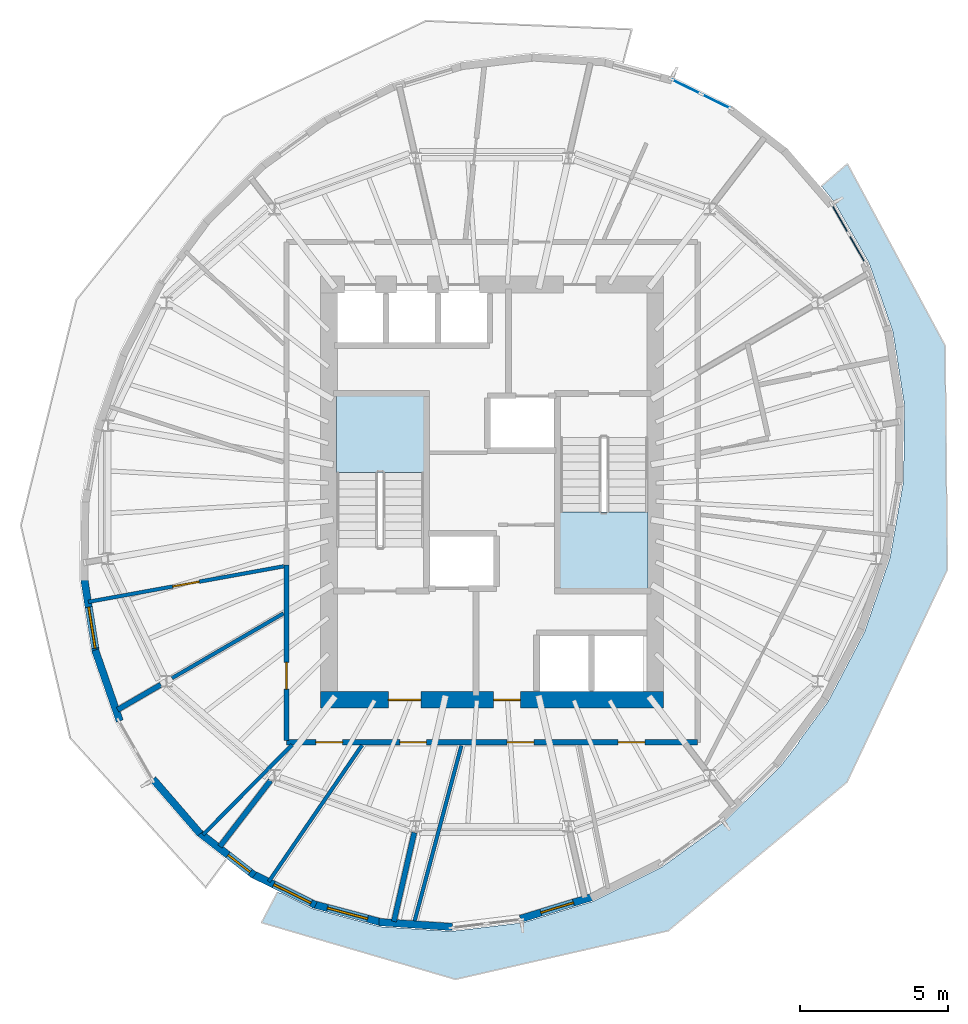
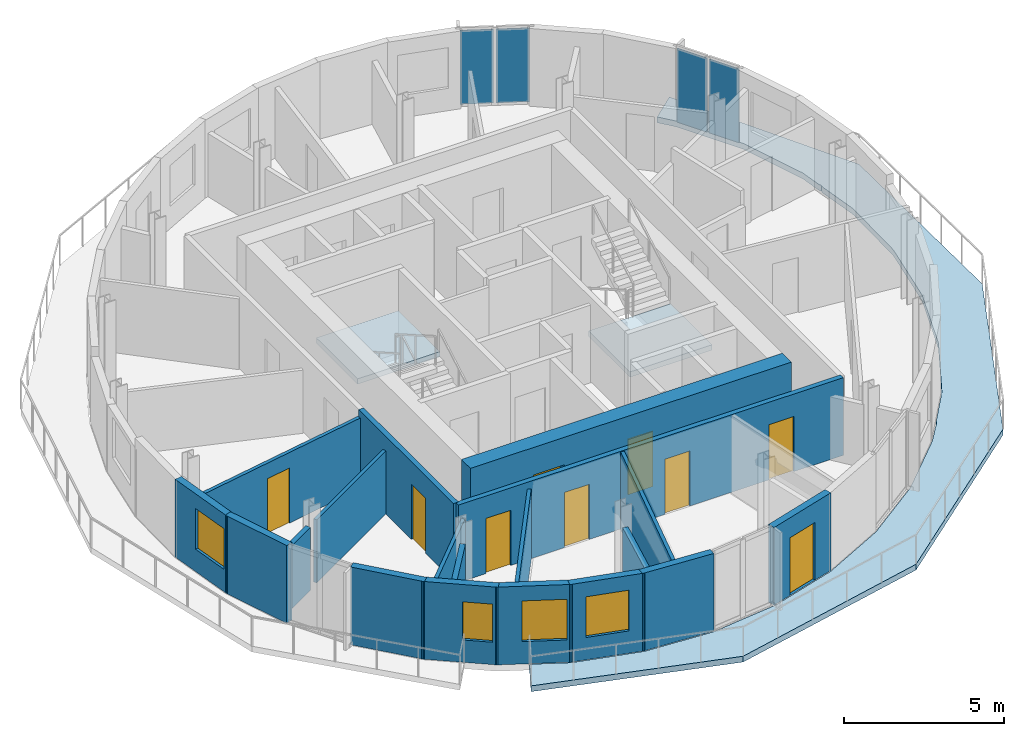
# One storey, part 4 of 9: 19 walls, 9 doors, 4 plates, 4 windows, 3 slabs, 13 openings, 4 elements without a shape of their own.
"""IFC4 building model written with IfcOpenShell, lengths in metres."""

from ifc_helpers import new_model, si_unit, direction, frame, frame_2d, origin, origin_2d, place, context, subcontext, project, spatial, polyline, rectangle, outline, extrude, material, layer, layer_set, type_object, element, fill, aggregate, save


model = new_model("IFC4")

# Units and contexts
model_context = context("Model", 3, precision=1e-05, world=origin(), true_north=direction((0.0, 1.0)))
body_context = subcontext(model_context, "Body", "Model", "MODEL_VIEW")
ifc_project = project(units=[si_unit("LENGTHUNIT", "METRE"), si_unit("AREAUNIT", "SQUARE_METRE"), si_unit("VOLUMEUNIT", "CUBIC_METRE"), si_unit("PLANEANGLEUNIT", "RADIAN"), si_unit("MASSUNIT", "GRAM", prefix="KILO")], contexts=[model_context])

# Site, building, storey
site_placement = place(None, origin())
site = spatial("IfcSite", under=ifc_project, at=site_placement, CompositionType="ELEMENT")
building_placement = place(site_placement, origin())
building = spatial("IfcBuilding", under=site, at=building_placement, Name="Veldorim Arch Residences", CompositionType="ELEMENT")
storey_placement = place(building_placement, frame((0.0, 0.0, 230.239990234375)))
storey = spatial("IfcBuildingStorey", under=building, at=storey_placement, Name="L69", CompositionType="ELEMENT", Elevation=230.239990234375)

# Slab
ifc_material_1 = material(Name="Concrete C40/50", Category="concrete")
ifc_layer_1 = layer(ifc_material_1, 0.219970703125, Name="Planted Crescent Cantilever Balcony Slab 220")
ifc_layer_set_1 = layer_set([ifc_layer_1], Name="Concrete C40/50")
slab_type_1 = type_object("IfcSlabType", Name="Planted Crescent Cantilever Balcony Slab 220", PredefinedType="FLOOR", material=ifc_layer_set_1)
slab_1_placement = place(storey_placement, frame((0.0, 0.0, -0.219970703125)))
element("IfcSlab", 1, at=slab_1_placement, inside=storey, type_object=slab_type_1, Name="L69 planted crescent balcony slab B", PredefinedType="FLOOR", context=body_context, shape_type="SweptSolid", body=[
    extrude(outline(polyline([(24.89111328125, 10.482421875), (25.947998046875, 9.960205078125), (28.220458984375, 9.35498046875), (30.607666015625, 9.195068359375), (33.037109375, 9.485107421875), (35.4345703125, 10.216064453125), (37.7275390625, 11.36572265625), (39.8466796875, 12.89892578125), (41.727294921875, 14.76953125), (42.314453125, 15.52978515625), (42.368408203125, 15.639404296875), (43.3125, 16.92041015625), (44.5537109375, 19.2861328125), (45.414306640625, 21.795166015625), (45.8671875, 24.37109375), (45.898681640625, 26.93603515625), (45.6669921875, 28.404052734375), (45.67236328125, 28.530517578125), (45.63330078125, 28.618408203125), (45.508056640625, 29.412109375), (44.70703125, 31.723876953125), (43.51953125, 33.80078125), (43.103515625, 34.315185546875), (43.974609375, 35.06591796875), (47.2685546875, 28.93896484375), (47.3427734375, 21.384033203125), (43.959228515625, 14.22412109375), (37.93701171875, 9.2177734375), (30.7646484375, 7.57958984375), (24.2294921875, 9.490966796875), (24.762939453125, 10.509765625), (24.89111328125, 10.482421875)])), origin(), (0.0, 0.0, 1.0), 0.219970703125),
])

# Stair, slab
ifc_material_2 = material(Name="Concrete C40/50", Category="concrete")
stair_type = type_object("IfcStairType", Name="Reinforced Concrete Dogleg Exit Staircase", PredefinedType="HALF_TURN_STAIR", material=ifc_material_2)
stair_1_placement = place(storey_placement, origin())
stair_1 = element("IfcStair", 2, at=stair_1_placement, inside=storey, type_object=stair_type, Name="L69 Exit Staircase ST-1", PredefinedType="HALF_TURN_STAIR")
ifc_material_3 = material(Name="Concrete C40/50", Category="concrete")
ifc_layer_2 = layer(ifc_material_3, 0.199951171875, Name="Reinforced Concrete Stair Landing 200")
ifc_layer_set_2 = layer_set([ifc_layer_2], Name="Concrete C40/50")
slab_type_2 = type_object("IfcSlabType", Name="Reinforced Concrete Stair Landing 200", PredefinedType="LANDING", material=ifc_layer_set_2)
slab_2_placement = place(storey_placement, frame((0.0, 0.0, 1.39990234375)))
slab_2 = element("IfcSlab", 3, at=slab_2_placement, type_object=slab_type_2, Name="ST-1 landing 1", PredefinedType="LANDING", context=body_context, shape_type="SweptSolid", body=[
    extrude(outline(polyline([(29.7099609375, 24.669921875), (29.7099609375, 27.25), (26.75, 27.25), (26.75, 24.669921875), (29.7099609375, 24.669921875)])), origin(), (0.0, 0.0, 1.0), 0.2001953125),
])
aggregate(stair_1, [slab_2])

stair_2_placement = place(storey_placement, origin())
stair_2 = element("IfcStair", 4, at=stair_2_placement, inside=storey, type_object=stair_type, Name="L69 Exit Staircase ST-2", PredefinedType="HALF_TURN_STAIR")
slab_3_placement = place(storey_placement, frame((0.0, 0.0, 1.39990234375)))
slab_3 = element("IfcSlab", 5, at=slab_3_placement, type_object=slab_type_2, Name="ST-2 landing 1", PredefinedType="LANDING", context=body_context, shape_type="SweptSolid", body=[
    extrude(outline(polyline([(34.2900390625, 23.330078125), (34.2900390625, 20.75), (37.25, 20.75), (37.25, 23.330078125), (34.2900390625, 23.330078125)])), origin(), (0.0, 0.0, 1.0), 0.2001953125),
])
aggregate(stair_2, [slab_3])

# Curtain wall, plates
ifc_material_4 = material(Name="Aluminium", Category="aluminium")
curtain_wall_type = type_object("IfcCurtainWallType", Name="Zone 4 High-Altitude Unitised Curtain Wall", PredefinedType="NOTDEFINED", material=ifc_material_4)
curtain_wall_1_placement = place(storey_placement, origin())
curtain_wall_1 = element("IfcCurtainWall", 6, at=curtain_wall_1_placement, inside=storey, type_object=curtain_wall_type, Name="L69 unitised curtain wall bay 01", PredefinedType="NOTDEFINED")
ifc_material_5 = material(Name="Laminated Low-E Glass", Category="glass")
ifc_layer_3 = layer(ifc_material_5, 0.030029296875, Name="Zone 4 High-Altitude Unitised Curtain Wall Glazing Panel 30")
ifc_layer_set_3 = layer_set([ifc_layer_3], Name="Laminated Low-E Glass")
plate_type = type_object("IfcPlateType", Name="Zone 4 High-Altitude Unitised Curtain Wall Glazing Panel 30", PredefinedType="CURTAIN_PANEL", material=ifc_layer_set_3)
plate_1_placement = place(storey_placement, frame((38.541259765625, 37.669677734375, 0.074951171875), z_axis=(0.0, 0.0, 1.0), x_axis=(0.896525107372, -0.442992925285, 0.0)))
plate_1 = element("IfcPlate", 7, at=plate_1_placement, type_object=plate_type, Name="CW-Z4 panel 1.1", PredefinedType="CURTAIN_PANEL", context=body_context, shape_type="SweptSolid", body=[
    extrude(rectangle(XDim=1.0498046875, YDim=0.030029296875, at=origin_2d()), origin(), (0.0, 0.0, 1.0), 2.81005859375),
])
plate_2_placement = place(storey_placement, frame((39.549560546875, 37.17138671875, 0.074951171875), z_axis=(0.0, 0.0, 1.0), x_axis=(0.896525107372, -0.442992925285, 0.0)))
plate_2 = element("IfcPlate", 8, at=plate_2_placement, type_object=plate_type, Name="CW-Z4 panel 2.1", PredefinedType="CURTAIN_PANEL", context=body_context, shape_type="SweptSolid", body=[
    extrude(rectangle(XDim=1.0498046875, YDim=0.030029296875, at=origin_2d()), origin(), (0.0, 0.0, 1.0), 2.81005859375),
])
aggregate(curtain_wall_1, [plate_1, plate_2])

curtain_wall_2_placement = place(storey_placement, origin())
curtain_wall_2 = element("IfcCurtainWall", 9, at=curtain_wall_2_placement, inside=storey, type_object=curtain_wall_type, Name="L69 unitised curtain wall bay 34", PredefinedType="NOTDEFINED")
plate_3_placement = place(storey_placement, frame((43.7265625, 33.207275390625, 0.074951171875), z_axis=(0.0, 0.0, 1.0), x_axis=(0.496274235915, -0.868165815249, 0.0)))
plate_3 = element("IfcPlate", 10, at=plate_3_placement, type_object=plate_type, Name="CW-Z4 panel 1.1", PredefinedType="CURTAIN_PANEL", context=body_context, shape_type="SweptSolid", body=[
    extrude(rectangle(XDim=1.081298828125, YDim=0.030029296875, at=origin_2d()), origin(), (0.0, 0.0, 1.0), 2.81005859375),
])
plate_4_placement = place(storey_placement, frame((44.300537109375, 32.203125, 0.074951171875), z_axis=(0.0, 0.0, 1.0), x_axis=(0.496274235915, -0.868165815249, 0.0)))
plate_4 = element("IfcPlate", 11, at=plate_4_placement, type_object=plate_type, Name="CW-Z4 panel 2.1", PredefinedType="CURTAIN_PANEL", context=body_context, shape_type="SweptSolid", body=[
    extrude(rectangle(XDim=1.081298828125, YDim=0.030029296875, at=origin_2d()), origin(), (0.0, 0.0, 1.0), 2.81005859375),
])
aggregate(curtain_wall_2, [plate_3, plate_4])

# Walls
ifc_material_6 = material(Name="Acoustic Gypsum Board", Category="gypsum")
ifc_layer_4 = layer(ifc_material_6, 0.125, Name="Acoustic Stud Room Partition Wall 125")
ifc_layer_set_4 = layer_set([ifc_layer_4], Name="Acoustic Gypsum Board")
wall_type_1 = type_object("IfcWallType", Name="Acoustic Stud Room Partition Wall 125", PredefinedType="PARTITIONING", material=ifc_layer_set_4)
wall_1_placement = place(storey_placement, frame((29.36083984375, 9.444091796875, 0.0), z_axis=(0.0, 0.0, 1.0), x_axis=(0.257643106476, 0.966240151145, 0.0)))
element("IfcWall", 12, at=wall_1_placement, inside=storey, type_object=wall_type_1, Name="L69 interior wall WL-RES-L69-008", PredefinedType="PARTITIONING", context=body_context, shape_type="SweptSolid", body=[
    extrude(rectangle(XDim=6.219970703125, YDim=0.125, at=frame_2d((3.10986328125, 0.0))), origin(), (0.0, 0.0, 1.0), 2.955078125),
])
wall_2_placement = place(storey_placement, frame((24.47119140625, 10.873779296875, 0.0), z_axis=(0.0, 0.0, 1.0), x_axis=(0.564753044296, 0.825259958412, 0.0)))
element("IfcWall", 13, at=wall_2_placement, inside=storey, type_object=wall_type_1, Name="L69 interior wall WL-RES-L69-009", PredefinedType="PARTITIONING", context=body_context, shape_type="SweptSolid", body=[
    extrude(rectangle(XDim=5.570556640625, YDim=0.125, at=frame_2d((2.78515625, 0.0))), origin(), (0.0, 0.0, 1.0), 2.69189453125),
])
wall_3_placement = place(storey_placement, frame((22.2509765625, 12.447998046875, 0.0), z_axis=(0.0, 0.0, 1.0), x_axis=(0.7036132626, 0.710583124408, 0.0)))
element("IfcWall", 14, at=wall_3_placement, inside=storey, type_object=wall_type_1, Name="L69 interior wall WL-RES-L69-010", PredefinedType="PARTITIONING", context=body_context, shape_type="SweptSolid", body=[
    extrude(rectangle(XDim=4.2734375, YDim=0.125, at=frame_2d((2.13671875, 0.0))), origin(), (0.0, 0.0, 1.0), 2.4033203125),
])
wall_4_placement = place(storey_placement, frame((21.209716796875, 17.7294921875, 0.0), z_axis=(0.0, 0.0, 1.0), x_axis=(0.864603130846, 0.502455397155, 0.0)))
element("IfcWall", 15, at=wall_4_placement, inside=storey, type_object=wall_type_1, Name="L69 interior wall WL-RES-L69-011", PredefinedType="PARTITIONING", context=body_context, shape_type="SweptSolid", body=[
    extrude(rectangle(XDim=4.344970703125, YDim=0.125, at=frame_2d((2.17236328125, 0.0))), origin(), (0.0, 0.0, 1.0), 2.4033203125),
])

# Wall, opening, door
wall_5_placement = place(storey_placement, frame((24.9716796875, 21.50048828125, 0.0), z_axis=(0.0, 0.0, 1.0), x_axis=(-0.983829605244, -0.179106973193, 0.0)))
wall_5 = element("IfcWall", 16, at=wall_5_placement, inside=storey, type_object=wall_type_1, Name="L69 interior wall WL-RES-L69-023", PredefinedType="PARTITIONING", context=body_context, shape_type="SweptSolid", body=[
    extrude(rectangle(XDim=6.69140625, YDim=0.125, at=frame_2d((3.345703125, 0.0))), origin(), (0.0, 0.0, 1.0), 2.69189453125),
])
opening_1_placement = place(wall_5_placement, frame((2.8955078125, 0.0, 0.0)))
opening_1 = element("IfcOpeningElement", 17, at=opening_1_placement, cuts=wall_5, Name="Opening DR-INT", PredefinedType="OPENING", context=body_context, shape_type="SweptSolid", body=[
    extrude(rectangle(XDim=0.89990234375, YDim=2.10009765625, at=frame_2d((0.449951171875, 1.050048828125))), frame((0.0, 0.072509765625, 0.0), z_axis=(0.0, -1.0, 0.0), x_axis=(1.0, 0.0, 0.0)), (0.0, 0.0, 1.0), 0.14501953125),
])
ifc_material_7 = material(Name="Engineered Timber", Category="wood")
door_type_1 = type_object("IfcDoorType", Name="Apartment Internal Room Timber Door 900x2100", OperationType="SINGLE_SWING_LEFT", PredefinedType="DOOR", material=ifc_material_7)
door_1_placement = place(opening_1_placement, origin())
door_1 = element("IfcDoor", 18, at=door_1_placement, inside=storey, type_object=door_type_1, Name="L69 interior door DR-RES-L69-018", OperationType="SINGLE_SWING_RIGHT", OverallHeight=2.10009765625, OverallWidth=0.89990234375, PredefinedType="DOOR", context=body_context, shape_type="SweptSolid", body=[
    extrude(rectangle(XDim=0.89990234375, YDim=2.10009765625, at=frame_2d((0.449951171875, 1.050048828125))), frame((0.0, 0.02490234375, 0.0), z_axis=(0.0, -1.0, 0.0), x_axis=(1.0, 0.0, 0.0)), (0.0, 0.0, 1.0), 0.050048828125),
])
fill(opening_1, door_1)

# Walls
ifc_material_8 = material(Name="Lightweight Masonry Block & Gypsum", Category="masonry")
ifc_layer_5 = layer(ifc_material_8, 0.179931640625, Name="Compartment & Corridor Fire-Rated Party Wall 180")
ifc_layer_set_5 = layer_set([ifc_layer_5], Name="Lightweight Masonry Block & Gypsum")
wall_type_2 = type_object("IfcWallType", Name="Compartment & Corridor Fire-Rated Party Wall 180", PredefinedType="PARTITIONING", material=ifc_layer_set_5)
wall_6_placement = place(storey_placement, frame((20.834716796875, 17.51171875, 0.0), z_axis=(0.0, 0.0, 1.0), x_axis=(-0.864596354204, -0.502467057923, 0.0)))
element("IfcWall", 19, at=wall_6_placement, inside=storey, type_object=wall_type_2, Name="L69 interior wall WL-PIER-L69-10", PredefinedType="PARTITIONING", context=body_context, shape_type="SweptSolid", body=[
    extrude(rectangle(XDim=1.6875, YDim=0.179931640625, at=frame_2d((0.84375, 0.0))), origin(), (0.0, 0.0, 1.0), 2.4033203125),
])
wall_7_placement = place(storey_placement, frame((24.53271484375, 14.280517578125, 0.0), z_axis=(0.0, 0.0, 1.0), x_axis=(-0.609243973043, -0.792982837967, 0.0)))
element("IfcWall", 20, at=wall_7_placement, inside=storey, type_object=wall_type_2, Name="L69 interior wall WL-PIER-L69-11", PredefinedType="PARTITIONING", context=body_context, shape_type="SweptSolid", body=[
    extrude(rectangle(XDim=2.806396484375, YDim=0.179931640625, at=frame_2d((1.4033203125, 0.0))), origin(), (0.0, 0.0, 1.0), 2.4033203125),
])
wall_8_placement = place(storey_placement, frame((29.3759765625, 12.526611328125, 0.0), z_axis=(0.0, 0.0, 1.0), x_axis=(-0.223020975075, -0.974813646128, 0.0)))
element("IfcWall", 21, at=wall_8_placement, inside=storey, type_object=wall_type_2, Name="L69 interior wall WL-PIER-L69-12", PredefinedType="PARTITIONING", context=body_context, shape_type="SweptSolid", body=[
    extrude(rectangle(XDim=3.074951171875, YDim=0.179931640625, at=frame_2d((1.53759765625, 0.0))), origin(), (0.0, 0.0, 1.0), 2.4033203125),
])

# Wall, openings, doors
wall_9_placement = place(storey_placement, frame((38.929931640625, 15.570068359375, 0.0), z_axis=(0.0, 0.0, 1.0), x_axis=(-1.0, 0.0, 0.0)))
wall_9 = element("IfcWall", 22, at=wall_9_placement, inside=storey, type_object=wall_type_2, Name="L69 interior wall WL-RES-L69-001", PredefinedType="PARTITIONING", context=body_context, shape_type="SweptSolid", body=[
    extrude(rectangle(XDim=13.85986328125, YDim=0.179931640625, at=frame_2d((6.929931640625, 0.0))), origin(), (0.0, 0.0, 1.0), 2.955078125),
])
opening_2_placement = place(wall_9_placement, frame((1.780517578125, 0.0, 0.0)))
opening_2 = element("IfcOpeningElement", 23, at=opening_2_placement, cuts=wall_9, Name="Opening DR-SVC", PredefinedType="OPENING", context=body_context, shape_type="SweptSolid", body=[
    extrude(rectangle(XDim=0.89990234375, YDim=2.10009765625, at=frame_2d((0.449951171875, 1.050048828125))), frame((0.0, 0.099853515625, 0.0), z_axis=(0.0, -1.0, 0.0), x_axis=(1.0, 0.0, 0.0)), (0.0, 0.0, 1.0), 0.199951171875),
])
opening_3_placement = place(wall_9_placement, frame((5.5244140625, 0.0, 0.0)))
opening_3 = element("IfcOpeningElement", 24, at=opening_3_placement, cuts=wall_9, Name="Opening DR-INT", PredefinedType="OPENING", context=body_context, shape_type="SweptSolid", body=[
    extrude(rectangle(XDim=0.89990234375, YDim=2.10009765625, at=frame_2d((0.449951171875, 1.050048828125))), frame((0.0, 0.099853515625, 0.0), z_axis=(0.0, -1.0, 0.0), x_axis=(1.0, 0.0, 0.0)), (0.0, 0.0, 1.0), 0.199951171875),
])
opening_4_placement = place(wall_9_placement, frame((9.142578125, 0.0, 0.0)))
opening_4 = element("IfcOpeningElement", 25, at=opening_4_placement, cuts=wall_9, Name="Opening DR-INT", PredefinedType="OPENING", context=body_context, shape_type="SweptSolid", body=[
    extrude(rectangle(XDim=0.89990234375, YDim=2.10009765625, at=frame_2d((0.449951171875, 1.050048828125))), frame((0.0, 0.099853515625, 0.0), z_axis=(0.0, -1.0, 0.0), x_axis=(1.0, 0.0, 0.0)), (0.0, 0.0, 1.0), 0.199951171875),
])
opening_5_placement = place(wall_9_placement, frame((11.970458984375, 0.0, 0.0)))
opening_5 = element("IfcOpeningElement", 26, at=opening_5_placement, cuts=wall_9, Name="Opening DR-INT", PredefinedType="OPENING", context=body_context, shape_type="SweptSolid", body=[
    extrude(rectangle(XDim=0.89990234375, YDim=2.10009765625, at=frame_2d((0.449951171875, 1.050048828125))), frame((0.0, 0.099853515625, 0.0), z_axis=(0.0, -1.0, 0.0), x_axis=(1.0, 0.0, 0.0)), (0.0, 0.0, 1.0), 0.199951171875),
])
door_2_placement = place(opening_3_placement, origin())
door_2 = element("IfcDoor", 27, at=door_2_placement, inside=storey, type_object=door_type_1, Name="L69 interior door DR-RES-L69-002", OperationType="SINGLE_SWING_RIGHT", OverallHeight=2.10009765625, OverallWidth=0.89990234375, PredefinedType="DOOR", context=body_context, shape_type="SweptSolid", body=[
    extrude(rectangle(XDim=0.89990234375, YDim=2.10009765625, at=frame_2d((0.449951171875, 1.050048828125))), frame((0.0, 0.02490234375, 0.0), z_axis=(0.0, -1.0, 0.0), x_axis=(1.0, 0.0, 0.0)), (0.0, 0.0, 1.0), 0.050048828125),
])
fill(opening_3, door_2)
door_3_placement = place(opening_4_placement, origin())
door_3 = element("IfcDoor", 28, at=door_3_placement, inside=storey, type_object=door_type_1, Name="L69 interior door DR-RES-L69-003", OperationType="SINGLE_SWING_LEFT", OverallHeight=2.10009765625, OverallWidth=0.89990234375, PredefinedType="DOOR", context=body_context, shape_type="SweptSolid", body=[
    extrude(rectangle(XDim=0.89990234375, YDim=2.10009765625, at=frame_2d((0.449951171875, 1.050048828125))), frame((0.0, 0.02490234375, 0.0), z_axis=(0.0, -1.0, 0.0), x_axis=(1.0, 0.0, 0.0)), (0.0, 0.0, 1.0), 0.050048828125),
])
fill(opening_4, door_3)
door_4_placement = place(opening_5_placement, origin())
door_4 = element("IfcDoor", 29, at=door_4_placement, inside=storey, type_object=door_type_1, Name="L69 interior door DR-RES-L69-004", OperationType="SINGLE_SWING_RIGHT", OverallHeight=2.10009765625, OverallWidth=0.89990234375, PredefinedType="DOOR", context=body_context, shape_type="SweptSolid", body=[
    extrude(rectangle(XDim=0.89990234375, YDim=2.10009765625, at=frame_2d((0.449951171875, 1.050048828125))), frame((0.0, 0.02490234375, 0.0), z_axis=(0.0, -1.0, 0.0), x_axis=(1.0, 0.0, 0.0)), (0.0, 0.0, 1.0), 0.050048828125),
])
fill(opening_5, door_4)
ifc_material_9 = material(Name="Fire-Rated Steel", Category="steel")
door_type_2 = type_object("IfcDoorType", Name="Riser, Shelter & Plant Room Rated Steel Door 900x2100", OperationType="SINGLE_SWING_LEFT", PredefinedType="DOOR", material=ifc_material_9)
door_5_placement = place(opening_2_placement, origin())
door_5 = element("IfcDoor", 30, at=door_5_placement, inside=storey, type_object=door_type_2, Name="L69 interior door DR-RES-L69-001", OperationType="SINGLE_SWING_LEFT", OverallHeight=2.10009765625, OverallWidth=0.89990234375, PredefinedType="DOOR", context=body_context, shape_type="SweptSolid", body=[
    extrude(rectangle(XDim=0.89990234375, YDim=2.10009765625, at=frame_2d((0.449951171875, 1.050048828125))), frame((0.0, 0.02490234375, 0.0), z_axis=(0.0, -1.0, 0.0), x_axis=(1.0, 0.0, 0.0)), (0.0, 0.0, 1.0), 0.050048828125),
])
fill(opening_2, door_5)

# Wall, opening, door
wall_10_placement = place(storey_placement, frame((25.070068359375, 15.6298828125, 0.0), z_axis=(0.0, 0.0, 1.0), x_axis=(0.0, 1.0, 0.0)))
wall_10 = element("IfcWall", 31, at=wall_10_placement, inside=storey, type_object=wall_type_2, Name="L69 interior wall WL-RES-L69-002", PredefinedType="PARTITIONING", context=body_context, shape_type="SweptSolid", body=[
    extrude(rectangle(XDim=5.90869140625, YDim=0.179931640625, at=frame_2d((2.954345703125, 0.0))), origin(), (0.0, 0.0, 1.0), 2.955078125),
])
opening_6_placement = place(wall_10_placement, frame((1.7314453125, 0.0, 0.0)))
opening_6 = element("IfcOpeningElement", 32, at=opening_6_placement, cuts=wall_10, Name="Opening DR-INT", PredefinedType="OPENING", context=body_context, shape_type="SweptSolid", body=[
    extrude(rectangle(XDim=0.89990234375, YDim=2.10009765625, at=frame_2d((0.449951171875, 1.050048828125))), frame((0.0, 0.099853515625, 0.0), z_axis=(0.0, -1.0, 0.0), x_axis=(1.0, 0.0, 0.0)), (0.0, 0.0, 1.0), 0.199951171875),
])
door_6_placement = place(opening_6_placement, origin())
door_6 = element("IfcDoor", 33, at=door_6_placement, inside=storey, type_object=door_type_1, Name="L69 interior door DR-RES-L69-005", OperationType="SINGLE_SWING_LEFT", OverallHeight=2.10009765625, OverallWidth=0.89990234375, PredefinedType="DOOR", context=body_context, shape_type="SweptSolid", body=[
    extrude(rectangle(XDim=0.89990234375, YDim=2.10009765625, at=frame_2d((0.449951171875, 1.050048828125))), frame((0.0, 0.02490234375, 0.0), z_axis=(0.0, -1.0, 0.0), x_axis=(1.0, 0.0, 0.0)), (0.0, 0.0, 1.0), 0.050048828125),
])
fill(opening_6, door_6)

# Wall, opening, window
ifc_material_10 = material(Name="Precast concrete C40/50", Category="concrete")
ifc_layer_6 = layer(ifc_material_10, 0.25, Name="Tower Terracotta Spandrel & Pier Wall 250")
ifc_layer_set_6 = layer_set([ifc_layer_6], Name="Precast concrete C40/50")
wall_type_3 = type_object("IfcWallType", Name="Tower Terracotta Spandrel & Pier Wall 250", PredefinedType="SOLIDWALL", material=ifc_layer_set_6)
wall_11_placement = place(storey_placement, frame((18.646728515625, 18.569091796875, 0.0), z_axis=(0.0, 0.0, 1.0), x_axis=(-0.155778786526, 0.987791966797, 0.0)))
wall_11 = element("IfcWall", 34, at=wall_11_placement, inside=storey, type_object=wall_type_3, Name="L69 terracotta facade wall 14", PredefinedType="SOLIDWALL", context=body_context, shape_type="SweptSolid", body=[
    extrude(rectangle(XDim=2.59228515625, YDim=0.25, at=frame_2d((1.296142578125, 0.0))), origin(), (0.0, 0.0, 1.0), 2.9599609375),
])
opening_7_placement = place(wall_11_placement, frame((0.175048828125, 0.0, 0.85009765625)))
opening_7 = element("IfcOpeningElement", 35, at=opening_7_placement, cuts=wall_11, Name="Opening WN-02", PredefinedType="OPENING", context=body_context, shape_type="SweptSolid", body=[
    extrude(rectangle(XDim=1.39990234375, YDim=1.550048828125, at=frame_2d((0.699951171875, 0.77490234375))), frame((0.0, 0.135009765625, 0.0), z_axis=(0.0, -1.0, 0.0), x_axis=(1.0, 0.0, 0.0)), (0.0, 0.0, 1.0), 0.27001953125),
])
ifc_material_11 = material(Name="Laminated Low-E Glass", Category="glass")
window_type_1 = type_object("IfcWindowType", Name="Residential Casement Window 1400x1550", PartitioningType="SINGLE_PANEL", PredefinedType="WINDOW", material=ifc_material_11)
window_1_placement = place(opening_7_placement, origin())
window_1 = element("IfcWindow", 36, at=window_1_placement, inside=storey, type_object=window_type_1, Name="L69 solar-control facade window 14", OverallHeight=1.550048828125, OverallWidth=1.39990234375, PartitioningType="SINGLE_PANEL", PredefinedType="WINDOW", context=body_context, shape_type="SweptSolid", body=[
    extrude(rectangle(XDim=1.39990234375, YDim=1.550048828125, at=frame_2d((0.699951171875, 0.77490234375))), frame((0.0, 0.030029296875, 0.0), z_axis=(0.0, -1.0, 0.0), x_axis=(1.0, 0.0, 0.0)), (0.0, 0.0, 1.0), 0.06005859375),
])
fill(opening_7, window_1)

# Walls
wall_12_placement = place(storey_placement, frame((19.44873046875, 16.284912109375, 0.0), z_axis=(0.0, 0.0, 1.0), x_axis=(-0.327428450427, 0.944875975909, 0.0)))
element("IfcWall", 37, at=wall_12_placement, inside=storey, type_object=wall_type_3, Name="L69 terracotta facade wall 15", PredefinedType="SOLIDWALL", context=body_context, shape_type="SweptSolid", body=[
    extrude(rectangle(XDim=2.5322265625, YDim=0.25, at=frame_2d((1.26611328125, 0.0))), origin(), (0.0, 0.0, 1.0), 2.9599609375),
])
wall_13_placement = place(storey_placement, frame((22.159423828125, 12.485595703125, 0.0), z_axis=(0.0, 0.0, 1.0), x_axis=(-0.653838956375, 0.756633741732, 0.0)))
element("IfcWall", 38, at=wall_13_placement, inside=storey, type_object=wall_type_3, Name="L69 terracotta facade wall 17", PredefinedType="SOLIDWALL", context=body_context, shape_type="SweptSolid", body=[
    extrude(rectangle(XDim=2.436767578125, YDim=0.25, at=frame_2d((1.21826171875, 0.0))), origin(), (0.0, 0.0, 1.0), 2.9599609375),
])

# Wall, opening, window
wall_14_placement = place(storey_placement, frame((23.98486328125, 11.084716796875, 0.0), z_axis=(0.0, 0.0, 1.0), x_axis=(-0.790325704793, 0.612686935019, 0.0)))
wall_14 = element("IfcWall", 39, at=wall_14_placement, inside=storey, type_object=wall_type_3, Name="L69 terracotta facade wall 18", PredefinedType="SOLIDWALL", context=body_context, shape_type="SweptSolid", body=[
    extrude(rectangle(XDim=2.414794921875, YDim=0.25, at=frame_2d((1.20751953125, 0.0))), origin(), (0.0, 0.0, 1.0), 2.9599609375),
])
opening_8_placement = place(wall_14_placement, frame((0.175048828125, 0.0, 0.85009765625)))
opening_8 = element("IfcOpeningElement", 40, at=opening_8_placement, cuts=wall_14, Name="Opening WN-05", PredefinedType="OPENING", context=body_context, shape_type="SweptSolid", body=[
    extrude(rectangle(XDim=0.949951171875, YDim=1.449951171875, at=frame_2d((0.47509765625, 0.72509765625))), frame((0.0, 0.135009765625, 0.0), z_axis=(0.0, -1.0, 0.0), x_axis=(1.0, 0.0, 0.0)), (0.0, 0.0, 1.0), 0.27001953125),
])
ifc_material_12 = material(Name="Laminated Low-E Glass", Category="glass")
window_type_2 = type_object("IfcWindowType", Name="Residential Compact Casement Window 950x1450", PartitioningType="SINGLE_PANEL", PredefinedType="WINDOW", material=ifc_material_12)
window_2_placement = place(opening_8_placement, origin())
window_2 = element("IfcWindow", 41, at=window_2_placement, inside=storey, type_object=window_type_2, Name="L69 solar-control facade window 18", OverallHeight=1.449951171875, OverallWidth=0.949951171875, PartitioningType="SINGLE_PANEL", PredefinedType="WINDOW", context=body_context, shape_type="SweptSolid", body=[
    extrude(rectangle(XDim=0.949951171875, YDim=1.449951171875, at=frame_2d((0.47509765625, 0.72509765625))), frame((0.0, 0.030029296875, 0.0), z_axis=(0.0, -1.0, 0.0), x_axis=(1.0, 0.0, 0.0)), (0.0, 0.0, 1.0), 0.06005859375),
])
fill(opening_8, window_2)

wall_15_placement = place(storey_placement, frame((26.052490234375, 10.075927734375, 0.0), z_axis=(0.0, 0.0, 1.0), x_axis=(-0.896540415167, 0.442961944158, 0.0)))
wall_15 = element("IfcWall", 42, at=wall_15_placement, inside=storey, type_object=wall_type_3, Name="L69 terracotta facade wall 19", PredefinedType="SOLIDWALL", context=body_context, shape_type="SweptSolid", body=[
    extrude(rectangle(XDim=2.41455078125, YDim=0.25, at=frame_2d((1.207275390625, 0.0))), origin(), (0.0, 0.0, 1.0), 2.9599609375),
])
opening_9_placement = place(wall_15_placement, frame((0.175048828125, 0.0, 0.85009765625)))
opening_9 = element("IfcOpeningElement", 43, at=opening_9_placement, cuts=wall_15, Name="Opening WN-02", PredefinedType="OPENING", context=body_context, shape_type="SweptSolid", body=[
    extrude(rectangle(XDim=1.39990234375, YDim=1.550048828125, at=frame_2d((0.699951171875, 0.77490234375))), frame((0.0, 0.135009765625, 0.0), z_axis=(0.0, -1.0, 0.0), x_axis=(1.0, 0.0, 0.0)), (0.0, 0.0, 1.0), 0.27001953125),
])
window_3_placement = place(opening_9_placement, origin())
window_3 = element("IfcWindow", 44, at=window_3_placement, inside=storey, type_object=window_type_1, Name="L69 solar-control facade window 19", OverallHeight=1.550048828125, OverallWidth=1.39990234375, PartitioningType="SINGLE_PANEL", PredefinedType="WINDOW", context=body_context, shape_type="SweptSolid", body=[
    extrude(rectangle(XDim=1.39990234375, YDim=1.550048828125, at=frame_2d((0.699951171875, 0.77490234375))), frame((0.0, 0.030029296875, 0.0), z_axis=(0.0, -1.0, 0.0), x_axis=(1.0, 0.0, 0.0)), (0.0, 0.0, 1.0), 0.06005859375),
])
fill(opening_9, window_3)

wall_16_placement = place(storey_placement, frame((28.30029296875, 9.489013671875, 0.0), z_axis=(0.0, 0.0, 1.0), x_axis=(-0.96631636381, 0.257357115761, 0.0)))
wall_16 = element("IfcWall", 45, at=wall_16_placement, inside=storey, type_object=wall_type_3, Name="L69 terracotta facade wall 20", PredefinedType="SOLIDWALL", context=body_context, shape_type="SweptSolid", body=[
    extrude(rectangle(XDim=2.43701171875, YDim=0.25, at=frame_2d((1.218505859375, 0.0))), origin(), (0.0, 0.0, 1.0), 2.9599609375),
])
opening_10_placement = place(wall_16_placement, frame((0.51806640625, 0.0, 0.85009765625)))
opening_10 = element("IfcOpeningElement", 46, at=opening_10_placement, cuts=wall_16, Name="Opening WN-02", PredefinedType="OPENING", context=body_context, shape_type="SweptSolid", body=[
    extrude(rectangle(XDim=1.39990234375, YDim=1.550048828125, at=frame_2d((0.699951171875, 0.77490234375))), frame((0.0, 0.135009765625, 0.0), z_axis=(0.0, -1.0, 0.0), x_axis=(1.0, 0.0, 0.0)), (0.0, 0.0, 1.0), 0.27001953125),
])
window_4_placement = place(opening_10_placement, origin())
window_4 = element("IfcWindow", 47, at=window_4_placement, inside=storey, type_object=window_type_1, Name="L69 solar-control facade window 20", OverallHeight=1.550048828125, OverallWidth=1.39990234375, PartitioningType="SINGLE_PANEL", PredefinedType="WINDOW", context=body_context, shape_type="SweptSolid", body=[
    extrude(rectangle(XDim=1.39990234375, YDim=1.550048828125, at=frame_2d((0.699951171875, 0.77490234375))), frame((0.0, 0.030029296875, 0.0), z_axis=(0.0, -1.0, 0.0), x_axis=(1.0, 0.0, 0.0)), (0.0, 0.0, 1.0), 0.06005859375),
])
fill(opening_10, window_4)

# Wall
wall_17_placement = place(storey_placement, frame((30.660400390625, 9.341796875, 0.0), z_axis=(0.0, 0.0, 1.0), x_axis=(-0.997759800667, 0.06689828228, 0.0)))
element("IfcWall", 48, at=wall_17_placement, inside=storey, type_object=wall_type_3, Name="L69 terracotta facade wall 21", PredefinedType="SOLIDWALL", context=body_context, shape_type="SweptSolid", body=[
    extrude(rectangle(XDim=2.47802734375, YDim=0.25, at=frame_2d((1.239013671875, 0.0))), origin(), (0.0, 0.0, 1.0), 2.9599609375),
])

# Wall, opening, door
wall_18_placement = place(storey_placement, frame((35.431884765625, 10.3720703125, 0.0), z_axis=(0.0, 0.0, 1.0), x_axis=(-0.956515193001, -0.291682508145, 0.0)))
wall_18 = element("IfcWall", 49, at=wall_18_placement, inside=storey, type_object=wall_type_3, Name="L69 terracotta facade wall 23", PredefinedType="SOLIDWALL", context=body_context, shape_type="SweptSolid", body=[
    extrude(rectangle(XDim=2.59228515625, YDim=0.25, at=frame_2d((1.296142578125, 0.0))), origin(), (0.0, 0.0, 1.0), 2.9599609375),
])
opening_11_placement = place(wall_18_placement, frame((0.720947265625, 0.0, 0.0)))
opening_11 = element("IfcOpeningElement", 50, at=opening_11_placement, cuts=wall_18, Name="Opening BL-DR", PredefinedType="OPENING", context=body_context, shape_type="SweptSolid", body=[
    extrude(rectangle(XDim=1.14990234375, YDim=2.199951171875, at=frame_2d((0.574951171875, 1.10009765625))), frame((0.0, 0.135009765625, 0.0), z_axis=(0.0, -1.0, 0.0), x_axis=(1.0, 0.0, 0.0)), (0.0, 0.0, 1.0), 0.27001953125),
])
ifc_material_13 = material(Name="Aluminium & Low-E Glass", Category="aluminium")
door_type_3 = type_object("IfcDoorType", Name="Glazed Planted Balcony Door 1150x2200", OperationType="SINGLE_SWING_LEFT", PredefinedType="DOOR", material=ifc_material_13)
door_7_placement = place(opening_11_placement, origin())
door_7 = element("IfcDoor", 51, at=door_7_placement, inside=storey, type_object=door_type_3, Name="L69 glazed outdoor terrace door BALC-2", OperationType="SINGLE_SWING_LEFT", OverallHeight=2.199951171875, OverallWidth=1.14990234375, PredefinedType="DOOR", context=body_context, shape_type="SweptSolid", body=[
    extrude(rectangle(XDim=1.14990234375, YDim=2.199951171875, at=frame_2d((0.574951171875, 1.10009765625))), frame((0.0, 0.02490234375, 0.0), z_axis=(0.0, -1.0, 0.0), x_axis=(1.0, 0.0, 0.0)), (0.0, 0.0, 1.0), 0.050048828125),
])
fill(opening_11, door_7)

# Wall, openings, doors
ifc_material_14 = material(Name="Concrete C50/60", Category="concrete")
ifc_layer_7 = layer(ifc_material_14, 0.5, Name="Upper Central Core Shear Wall 560")
ifc_layer_set_7 = layer_set([ifc_layer_7], Name="Concrete C50/60")
wall_type_4 = type_object("IfcWallType", Name="Upper Central Core Shear Wall 560", PredefinedType="SHEAR", material=ifc_layer_set_7)
wall_19_placement = place(storey_placement, frame((26.219970703125, 17.0, 0.0), z_axis=(0.0, 0.0, 1.0), x_axis=(1.0, 0.0, 0.0)))
wall_19 = element("IfcWall", 52, at=wall_19_placement, inside=storey, type_object=wall_type_4, Name="L69 central core south shear wall", PredefinedType="SHEAR", context=body_context, shape_type="SweptSolid", body=[
    extrude(rectangle(XDim=11.56005859375, YDim=0.56005859375, at=frame_2d((5.780029296875, 0.0))), origin(), (0.0, 0.0, 1.0), 3.199951171875),
])
opening_12_placement = place(wall_19_placement, frame((2.280029296875, 0.0, 0.0)))
opening_12 = element("IfcOpeningElement", 53, at=opening_12_placement, cuts=wall_19, Name="Opening DR-FFL", PredefinedType="OPENING", context=body_context, shape_type="SweptSolid", body=[
    extrude(rectangle(XDim=1.10009765625, YDim=2.14990234375, at=frame_2d((0.550048828125, 1.074951171875))), frame((0.0, 0.2900390625, 0.0), z_axis=(0.0, -1.0, 0.0), x_axis=(1.0, 0.0, 0.0)), (0.0, 0.0, 1.0), 0.580078125),
])
opening_13_placement = place(wall_19_placement, frame((5.830078125, 0.0, 0.0)))
opening_13 = element("IfcOpeningElement", 54, at=opening_13_placement, cuts=wall_19, Name="Opening DR-SVC", PredefinedType="OPENING", context=body_context, shape_type="SweptSolid", body=[
    extrude(rectangle(XDim=0.89990234375, YDim=2.10009765625, at=frame_2d((0.449951171875, 1.050048828125))), frame((0.0, 0.2900390625, 0.0), z_axis=(0.0, -1.0, 0.0), x_axis=(1.0, 0.0, 0.0)), (0.0, 0.0, 1.0), 0.580078125),
])
ifc_material_15 = material(Name="Fire-Rated Steel & Vision Glass", Category="steel")
door_type_4 = type_object("IfcDoorType", Name="Firefighting Lobby Smoke-Stop Fire Door 1100x2150", OperationType="SINGLE_SWING_LEFT", PredefinedType="DOOR", material=ifc_material_15)
door_8_placement = place(opening_12_placement, origin())
door_8 = element("IfcDoor", 55, at=door_8_placement, inside=storey, type_object=door_type_4, Name="L69 interior door DR-L69-FFL1", OperationType="SINGLE_SWING_RIGHT", OverallHeight=2.14990234375, OverallWidth=1.10009765625, PredefinedType="DOOR", context=body_context, shape_type="SweptSolid", body=[
    extrude(rectangle(XDim=1.10009765625, YDim=2.14990234375, at=frame_2d((0.550048828125, 1.074951171875))), frame((0.0, 0.02490234375, 0.0), z_axis=(0.0, -1.0, 0.0), x_axis=(1.0, 0.0, 0.0)), (0.0, 0.0, 1.0), 0.050048828125),
])
fill(opening_12, door_8)
door_9_placement = place(opening_13_placement, origin())
door_9 = element("IfcDoor", 56, at=door_9_placement, inside=storey, type_object=door_type_2, Name="L69 interior door DR-L69-COR-ANC", OperationType="SINGLE_SWING_LEFT", OverallHeight=2.10009765625, OverallWidth=0.89990234375, PredefinedType="DOOR", context=body_context, shape_type="SweptSolid", body=[
    extrude(rectangle(XDim=0.89990234375, YDim=2.10009765625, at=frame_2d((0.449951171875, 1.050048828125))), frame((0.0, 0.02490234375, 0.0), z_axis=(0.0, -1.0, 0.0), x_axis=(1.0, 0.0, 0.0)), (0.0, 0.0, 1.0), 0.050048828125),
])
fill(opening_13, door_9)

save(model, "model.ifc")
